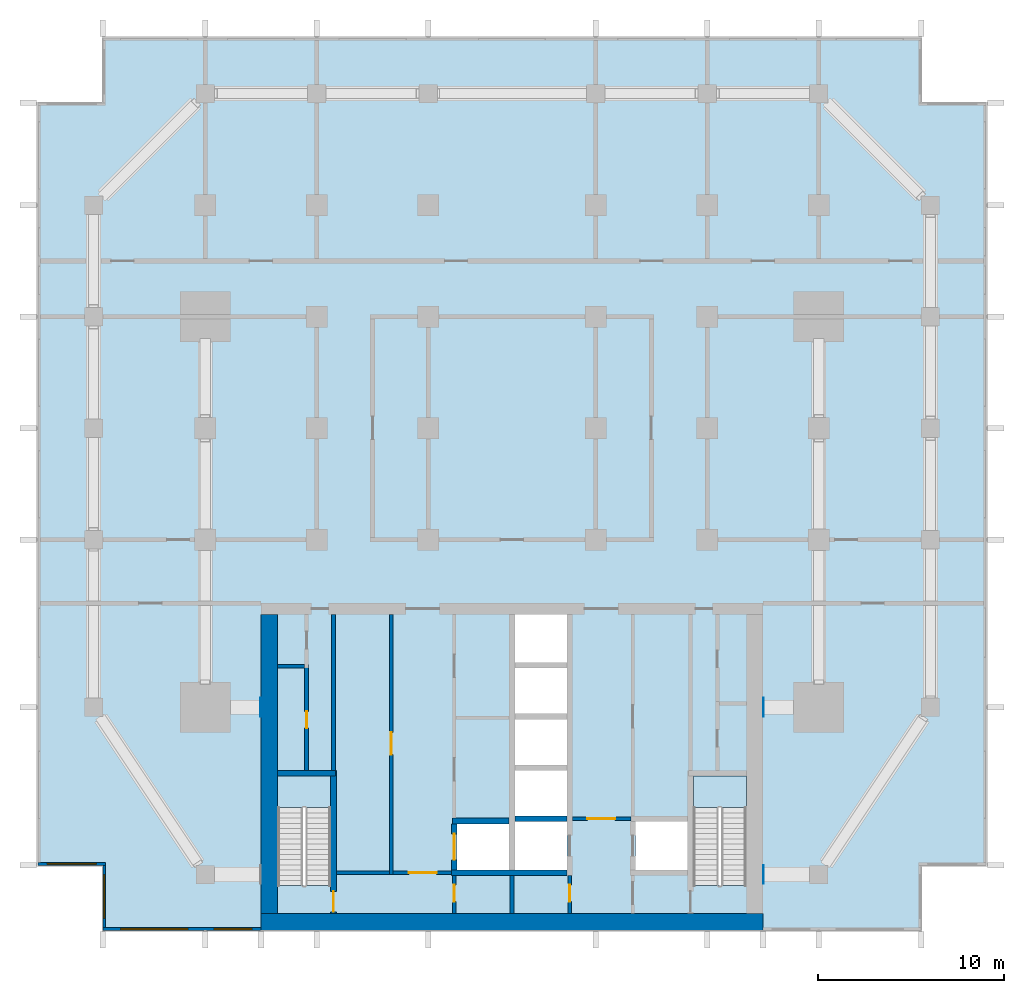
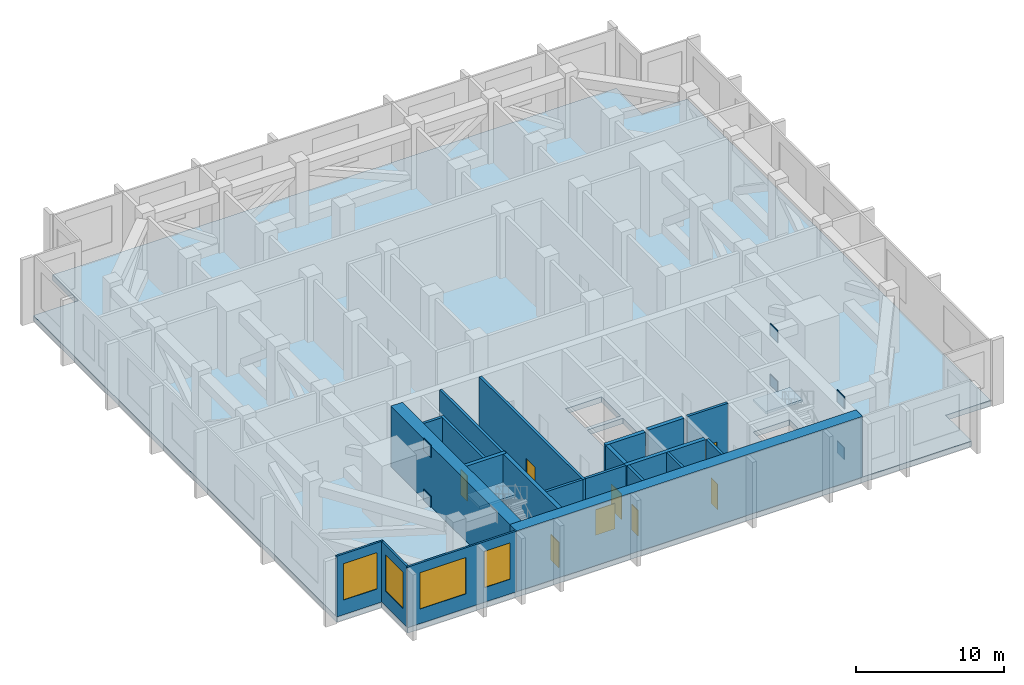
# One storey, part 2 of 12: 21 walls, 8 doors, 6 plates, 4 windows, 3 slabs, 12 openings, 2 elements without a shape of their own.
"""IFC4 building model written with IfcOpenShell, lengths in metres."""

import ifcopenshell
import ifcopenshell.guid

model = None  # the IFC model being written
_history = None  # IfcOwnerHistory: only IFC2X3 demands one
_inside = {}  # id of a spatial element -> (the spatial element, [elements in it])
_under = {}  # id of a project, library or spatial element -> (it, [spatial elements below it])
_declared = {}  # id of a project -> (the project, [libraries it declares])
_typed = {}  # id of a type object -> (the type object, [elements of that type])
_made_of = {}  # id of a material, layer set ... -> (it, [elements and type objects made of it])


def new_model(schema):
    """Start an empty IFC model of exactly this schema.

    Asked for "IFC4X3", IfcOpenShell would pick the latest addendum, in which some entities
    have other attributes; the version numbers below select the first issue.
    IFC2X3 requires an IfcOwnerHistory on every rooted entity: one is made here for all.
    """
    global model, _history
    if schema == "IFC4X3":
        model = ifcopenshell.file(schema_version=(4, 3, 0, 0))
    else:
        model = ifcopenshell.file(schema=schema)
    _inside.clear()
    _under.clear()
    _declared.clear()
    _typed.clear()
    _made_of.clear()
    _history = None
    if model.schema == "IFC2X3":
        org = make("IfcOrganization", Name="unknown")
        user = make(
            "IfcPersonAndOrganization",
            ThePerson=make("IfcPerson", FamilyName="unknown"),
            TheOrganization=org,
        )
        app = make(
            "IfcApplication",
            ApplicationDeveloper=org,
            Version="unknown",
            ApplicationFullName="unknown",
            ApplicationIdentifier="unknown",
        )
        _history = make(
            "IfcOwnerHistory",
            OwningUser=user,
            OwningApplication=app,
            ChangeAction="ADDED",
            CreationDate=0,
        )
    return model


def make(cls, **values):
    """One entity of the class cls with the attributes given. An attribute that is None is left unset."""
    return model.create_entity(
        cls, **{name: value for name, value in values.items() if value is not None}
    )


def rooted(cls, **values):
    """An entity with a GlobalId (a new one), such as an element, a storey or a relation."""
    return make(cls, GlobalId=ifcopenshell.guid.new(), OwnerHistory=_history, **values)


def si_unit(unit_type, name, prefix=None):
    """IfcSIUnit, for example si_unit("LENGTHUNIT", "METRE", prefix="MILLI")."""
    return make("IfcSIUnit", UnitType=unit_type, Prefix=prefix, Name=name)


def assignment(units):
    """IfcUnitAssignment: the units of a project."""
    return None if units is None else make("IfcUnitAssignment", Units=units)


def point(xyz):
    """IfcCartesianPoint."""
    return None if xyz is None else make("IfcCartesianPoint", Coordinates=xyz)


def direction(xyz):
    """IfcDirection."""
    return None if xyz is None else make("IfcDirection", DirectionRatios=xyz)


def frame(location, z_axis=None, x_axis=None):
    """IfcAxis2Placement3D, a coordinate frame: its origin and axes. An axis left out is left unset."""
    return make(
        "IfcAxis2Placement3D",
        Location=point(location),
        Axis=direction(z_axis),
        RefDirection=direction(x_axis),
    )


def frame_2d(location, x_axis=None):
    """IfcAxis2Placement2D, a coordinate frame in the plane: its origin and x axis."""
    return make(
        "IfcAxis2Placement2D", Location=point(location), RefDirection=direction(x_axis)
    )


def origin():
    """The frame at (0, 0, 0) with its axes left unset."""
    return frame((0.0, 0.0, 0.0))


def origin_2d():
    """The frame at (0, 0) in the plane with its x axis left unset."""
    return frame_2d((0.0, 0.0))


def place(relative_to, where):
    """IfcLocalPlacement: puts the frame where relative to a parent placement (None: the world)."""
    return make(
        "IfcLocalPlacement", PlacementRelTo=relative_to, RelativePlacement=where
    )


def context(
    kind, dimensions, precision=None, world=None, true_north=None, identifier=None
):
    """IfcGeometricRepresentationContext, for example the 3D "Model" context."""
    return make(
        "IfcGeometricRepresentationContext",
        ContextIdentifier=identifier,
        ContextType=kind,
        CoordinateSpaceDimension=dimensions,
        Precision=precision,
        WorldCoordinateSystem=world,
        TrueNorth=true_north,
    )


def subcontext(parent, identifier, kind, view, scale=None):
    """IfcGeometricRepresentationSubContext, for example "Body" below "Model"."""
    return make(
        "IfcGeometricRepresentationSubContext",
        ContextIdentifier=identifier,
        ContextType=kind,
        ParentContext=parent,
        TargetScale=scale,
        TargetView=view,
    )


def project(units=None, contexts=None):
    """IfcProject with its units and contexts."""
    return rooted(
        "IfcProject",
        Name="project",
        RepresentationContexts=contexts,
        UnitsInContext=assignment(units),
    )


def spatial(cls, under=None, at=None, **own):
    """A site, building, storey or space (cls), placed at a placement, below another one or the project."""
    s = rooted(cls, ObjectPlacement=at, **own)
    if under is not None:
        _under.setdefault(under.id(), (under, []))[1].append(s)
    return s


def polyline(points):
    """IfcPolyline through the points."""
    return make("IfcPolyline", Points=[point(p) for p in points])


def profile(cls, at=None, kind="AREA", **sizes):
    """A parametric profile (cls). Its sizes go by their IFC names, for example OverallWidth=200.0."""
    return make(cls, ProfileType=kind, Position=at, **sizes)


def rectangle(**sizes):
    """IfcRectangleProfileDef."""
    return profile("IfcRectangleProfileDef", **sizes)


def outline(outer, holes=None, kind="AREA"):
    """IfcArbitraryClosedProfileDef: a profile drawn as a closed curve; with holes, ...WithVoids."""
    if holes is None:
        return make("IfcArbitraryClosedProfileDef", ProfileType=kind, OuterCurve=outer)
    return make(
        "IfcArbitraryProfileDefWithVoids",
        ProfileType=kind,
        OuterCurve=outer,
        InnerCurves=holes,
    )


def extrude(swept, where, along, depth):
    """IfcExtrudedAreaSolid: the profile swept, set in the frame where, extruded along a direction by depth."""
    return make(
        "IfcExtrudedAreaSolid",
        SweptArea=swept,
        Position=where,
        ExtrudedDirection=direction(along),
        Depth=depth,
    )


def shape(context_of_items, identifier, shape_type, items):
    """IfcShapeRepresentation: the items that make up one representation, for example the "Body"."""
    return make(
        "IfcShapeRepresentation",
        ContextOfItems=context_of_items,
        RepresentationIdentifier=identifier,
        RepresentationType=shape_type,
        Items=items,
    )


def material(Name=None, Category=None):
    """IfcMaterial."""
    return make("IfcMaterial", Name=Name, Category=Category)


def layer(
    of_material, thickness, ventilated=None, Name=None, Category=None, Priority=None
):
    """IfcMaterialLayer: one layer of a wall or slab, of a material (None: an air gap)."""
    return make(
        "IfcMaterialLayer",
        Material=of_material,
        LayerThickness=thickness,
        IsVentilated=ventilated,
        Name=Name,
        Category=Category,
        Priority=Priority,
    )


def layer_set(layers, Name=None):
    """IfcMaterialLayerSet."""
    return make("IfcMaterialLayerSet", MaterialLayers=layers, LayerSetName=Name)


def made_of(thing, what):
    """Note that an element or type object is made of a material, layer set ...; save() writes the relation."""
    if what is not None:
        _made_of.setdefault(what.id(), (what, []))[1].append(thing)
    return thing


def type_object(cls, material=None, **own):
    """A type object (cls), such as IfcWallType, which elements share."""
    return made_of(rooted(cls, **own), material)


def element(
    cls,
    number,
    at=None,
    inside=None,
    cuts=None,
    type_object=None,
    material=None,
    context=None,
    identifier="Body",
    shape_type=None,
    held_by="IfcProductDefinitionShape",
    body=None,
    shapes=None,
    **own,
):
    """One element of the class cls, such as IfcWall. Its Tag is "e" and its number.

    at: its placement. inside: the storey or other place that contains it. cuts: it is an
    opening in that element (IfcRelVoidsElement). A single representation is given by context,
    identifier, shape_type and body (its items); several are given by shapes. held_by: the class
    of the entity that holds the representations. save() writes the other relations.
    """
    e = rooted(cls, Tag="e%d" % number, ObjectPlacement=at, **own)
    if body is not None:
        shapes = [shape(context, identifier, shape_type, body)]
    if shapes is not None:
        e.Representation = make(held_by, Representations=shapes)
    if inside is not None:
        _inside.setdefault(inside.id(), (inside, []))[1].append(e)
    if cuts is not None:
        rooted(
            "IfcRelVoidsElement", RelatingBuildingElement=cuts, RelatedOpeningElement=e
        )
    if type_object is not None:
        _typed.setdefault(type_object.id(), (type_object, []))[1].append(e)
    return made_of(e, material)


def fill(opening, filler):
    """IfcRelFillsElement: the door or window that sits in an opening."""
    return rooted(
        "IfcRelFillsElement",
        RelatingOpeningElement=opening,
        RelatedBuildingElement=filler,
    )


def aggregate(whole, parts):
    """IfcRelAggregates: a whole, such as a stair, and the parts it consists of."""
    return rooted("IfcRelAggregates", RelatingObject=whole, RelatedObjects=parts)


def save(model, path):
    """Write the relations noted so far, then the file.

    IfcRelAggregates (storeys below a building ...), IfcRelContainedInSpatialStructure (elements
    in a storey), IfcRelDefinesByType, IfcRelAssociatesMaterial and IfcRelDeclares: one each for
    every whole, place, type object, material and project.
    """
    for whole, parts in _under.values():
        aggregate(whole, parts)
    for where, things in _inside.values():
        rooted(
            "IfcRelContainedInSpatialStructure",
            RelatedElements=things,
            RelatingStructure=where,
        )
    for kind, things in _typed.values():
        rooted("IfcRelDefinesByType", RelatedObjects=things, RelatingType=kind)
    for what, things in _made_of.values():
        rooted("IfcRelAssociatesMaterial", RelatedObjects=things, RelatingMaterial=what)
    for by, libraries in _declared.values():
        rooted("IfcRelDeclares", RelatingContext=by, RelatedDefinitions=libraries)
    model.write(path)


model = new_model("IFC4")

# Units and contexts
model_context = context("Model", 3, precision=1e-05, world=origin(), true_north=direction((0.0, 1.0)))
body_context = subcontext(model_context, "Body", "Model", "MODEL_VIEW")
ifc_project = project(units=[si_unit("LENGTHUNIT", "METRE"), si_unit("AREAUNIT", "SQUARE_METRE"), si_unit("VOLUMEUNIT", "CUBIC_METRE"), si_unit("PLANEANGLEUNIT", "RADIAN"), si_unit("MASSUNIT", "GRAM", prefix="KILO")], contexts=[model_context])

# Site, building, storey
site_placement = place(None, origin())
site = spatial("IfcSite", under=ifc_project, at=site_placement, CompositionType="ELEMENT")
building_placement = place(site_placement, origin())
building = spatial("IfcBuilding", under=site, at=building_placement, Name="Finial Court Residences", CompositionType="ELEMENT")
storey_placement = place(building_placement, frame((0.0, 0.0, 143.89990234375)))
storey = spatial("IfcBuildingStorey", under=building, at=storey_placement, Name="L35", CompositionType="ELEMENT", Elevation=143.89990234375)

# Plates
ifc_material_1 = material(Name="Steel ASTM A572 Gr 50", Category="steel")
ifc_layer_1 = layer(ifc_material_1, 0.050048828125)
ifc_layer_set_1 = layer_set([ifc_layer_1], Name="Cast-in plate 50")
plate_type = type_object("IfcPlateType", Name="Cast-in plate 50", PredefinedType="USERDEFINED", material=ifc_layer_set_1)
for number, where, z_axis, x_axis, name in (
    (1, (13.52490234375, -22.5, -0.099853515625), (0.0, 0.0, 1.0), (1.0, 0.0, 0.0), "S:TR:L35:19:CP1B"),
    (2, (13.52490234375, -22.5, 4.09912109375), (0.0, 0.0, 1.0), (1.0, 0.0, 0.0), "S:TR:L35:19:CP1T"),
    (3, (-13.52490234375, -13.5, -0.099853515625), (0.0, 0.0, 1.0), (1.0, 0.0, 0.0), "S:TR:L35:20:CP0B"),
    (4, (-13.52490234375, -13.5, 4.09912109375), (0.0, 0.0, 1.0), (1.0, 0.0, 0.0), "S:TR:L35:20:CP0T"),
    (5, (13.52490234375, -13.5, -0.099853515625), (0.0, 0.0, 1.0), (1.0, 0.0, 0.0), "S:TR:L35:24:CP0B"),
    (6, (13.52490234375, -13.5, 4.09912109375), (0.0, 0.0, 1.0), (1.0, 0.0, 0.0), "S:TR:L35:24:CP0T"),
):
    element("IfcPlate", number, at=place(storey_placement, frame(where, z_axis=z_axis, x_axis=x_axis)), inside=storey, type_object=plate_type, Name=name, ObjectType="Cast-in plate", PredefinedType="USERDEFINED", context=body_context, shape_type="SweptSolid", body=[
        extrude(rectangle(XDim=0.050048828125, YDim=1.0, at=origin_2d()), origin(), (0.0, 0.0, 1.0), 1.0),
    ])

# Stair, slab
ifc_material_2 = material(Name="Concrete C50/60", Category="concrete")
stair_type = type_object("IfcStairType", Name="Exit stair 32 risers of 168.8 mm", PredefinedType="HALF_TURN_STAIR", material=ifc_material_2)
stair_1_placement = place(storey_placement, origin())
stair_1 = element("IfcStair", 7, at=stair_1_placement, inside=storey, type_object=stair_type, Name="L35 Exit stair ST-1", PredefinedType="HALF_TURN_STAIR")
ifc_layer_2 = layer(ifc_material_2, 0.199951171875)
ifc_layer_set_2 = layer_set([ifc_layer_2], Name="Exit stair landing")
slab_type_1 = type_object("IfcSlabType", Name="Exit stair landing", PredefinedType="LANDING", material=ifc_layer_set_2)
slab_1_placement = place(storey_placement, frame((0.0, 0.0, 2.5)))
slab_1 = element("IfcSlab", 8, at=slab_1_placement, type_object=slab_type_1, Name="ST-1 landing 1", PredefinedType="LANDING", context=body_context, shape_type="SweptSolid", body=[
    extrude(outline(polyline([(-9.75, -18.89990234375), (-9.75, -17.199951171875), (-12.60009765625, -17.199951171875), (-12.60009765625, -18.89990234375), (-9.75, -18.89990234375)])), origin(), (0.0, 0.0, 1.0), 0.2001953125),
])
aggregate(stair_1, [slab_1])

stair_2_placement = place(storey_placement, origin())
stair_2 = element("IfcStair", 9, at=stair_2_placement, inside=storey, type_object=stair_type, Name="L35 Exit stair ST-2", PredefinedType="HALF_TURN_STAIR")
slab_2_placement = place(storey_placement, frame((0.0, 0.0, 2.5)))
slab_2 = element("IfcSlab", 10, at=slab_2_placement, type_object=slab_type_1, Name="ST-2 landing 1", PredefinedType="LANDING", context=body_context, shape_type="SweptSolid", body=[
    extrude(outline(polyline([(12.60009765625, -18.89990234375), (12.60009765625, -17.199951171875), (9.75, -17.199951171875), (9.75, -18.89990234375), (12.60009765625, -18.89990234375)])), origin(), (0.0, 0.0, 1.0), 0.2001953125),
])
aggregate(stair_2, [slab_2])

# Slab
ifc_material_3 = material(Name="Concrete C40/50", Category="concrete")
ifc_layer_3 = layer(ifc_material_3, 0.449951171875)
ifc_layer_set_3 = layer_set([ifc_layer_3], Name="Flat plate slab 450 Concrete C40/50")
slab_type_2 = type_object("IfcSlabType", Name="Flat plate slab 450 Concrete C40/50", PredefinedType="FLOOR", material=ifc_layer_set_3)
slab_3_placement = place(storey_placement, frame((0.0, 0.0, -0.449951171875)))
element("IfcSlab", 11, at=slab_3_placement, inside=storey, type_object=slab_type_2, Name="S:SLAB:L35", PredefinedType="FLOOR", context=body_context, shape_type="SweptSolid", body=[
    extrude(outline(polyline([(22.0, -25.5), (-22.0, -25.5), (-22.0, -22.0), (-25.5, -22.0), (-25.5, 19.0), (-22.0, 19.0), (-22.0, 22.5), (22.0, 22.5), (22.0, 19.0), (25.5, 19.0), (25.5, -22.0), (22.0, -22.0), (22.0, -25.5)]), holes=[polyline([(-0.14990234375, -19.77001953125), (-2.949951171875, -19.77001953125), (-2.949951171875, -22.25), (-0.14990234375, -22.25), (-0.14990234375, -19.77001953125)]), polyline([(2.949951171875, -19.64990234375), (0.14990234375, -19.64990234375), (0.14990234375, -22.25), (2.949951171875, -22.25), (2.949951171875, -19.64990234375)]), polyline([(9.449951171875, -19.64990234375), (6.64990234375, -19.64990234375), (6.64990234375, -22.25), (9.449951171875, -22.25), (9.449951171875, -19.64990234375)]), polyline([(-12.60009765625, -17.199951171875), (-12.60009765625, -23.09912109375), (-9.75, -23.09912109375), (-9.75, -17.199951171875), (-12.60009765625, -17.199951171875)]), polyline([(9.75, -17.199951171875), (9.75, -23.09912109375), (12.60009765625, -23.09912109375), (12.60009765625, -17.199951171875), (9.75, -17.199951171875)]), polyline([(2.949951171875, -16.89990234375), (0.14990234375, -16.89990234375), (0.14990234375, -19.35009765625), (2.949951171875, -19.35009765625), (2.949951171875, -16.89990234375)]), polyline([(2.949951171875, -14.14990234375), (0.14990234375, -14.14990234375), (0.14990234375, -16.60009765625), (2.949951171875, -16.60009765625), (2.949951171875, -14.14990234375)]), polyline([(2.949951171875, -13.85009765625), (2.949951171875, -11.39990234375), (0.14990234375, -11.39990234375), (0.14990234375, -13.85009765625), (2.949951171875, -13.85009765625)]), polyline([(2.949951171875, -11.10009765625), (2.949951171875, -8.5), (0.14990234375, -8.5), (0.14990234375, -11.10009765625), (2.949951171875, -11.10009765625)])]), origin(), (0.0, 0.0, 1.0), 0.449951171875),
])

# Walls
ifc_material_4 = material(Name="Concrete C70/85", Category="concrete")
ifc_layer_4 = layer(ifc_material_4, 0.89990234375)
ifc_layer_set_4 = layer_set([ifc_layer_4], Name="Core outer wall 900 Concrete C70/85")
wall_type_1 = type_object("IfcWallType", Name="Core outer wall 900 Concrete C70/85", PredefinedType="SHEAR", material=ifc_layer_set_4)
wall_1_placement = place(storey_placement, frame((-13.050048828125, -24.60009765625, 0.0), z_axis=(0.0, 0.0, 1.0), x_axis=(0.0, 1.0, 0.0)))
element("IfcWall", 12, at=wall_1_placement, inside=storey, type_object=wall_type_1, Name="Core outer wall L35-03", PredefinedType="SHEAR", context=body_context, shape_type="SweptSolid", body=[
    extrude(rectangle(XDim=16.10009765625, YDim=0.89990234375, at=frame_2d((8.050048828125, 0.0))), origin(), (0.0, 0.0, 1.0), 5.0),
])
ifc_layer_5 = layer(ifc_material_4, 0.89990234375)
ifc_layer_set_5 = layer_set([ifc_layer_5], Name="Core south facade wall 900 Concrete C70/85")
wall_type_2 = type_object("IfcWallType", Name="Core south facade wall 900 Concrete C70/85", PredefinedType="SHEAR", material=ifc_layer_set_5)
wall_2_placement = place(storey_placement, frame((-13.5, -25.050048828125, 0.0), z_axis=(0.0, 0.0, 1.0), x_axis=(1.0, 0.0, 0.0)))
element("IfcWall", 13, at=wall_2_placement, inside=storey, type_object=wall_type_2, Name="Core outer wall L35-01", PredefinedType="SHEAR", context=body_context, shape_type="SweptSolid", body=[
    extrude(rectangle(XDim=27.0, YDim=0.89990234375, at=frame_2d((13.5, 0.0))), origin(), (0.0, 0.0, 1.0), 5.0),
])

# Wall, opening, door
ifc_material_5 = material(Name="Fire-rated gypsum board partition")
ifc_layer_6 = layer(ifc_material_5, 0.199951171875)
ifc_layer_set_6 = layer_set([ifc_layer_6], Name="Firefighting lobby wall 200 EI 120")
wall_type_3 = type_object("IfcWallType", Name="Firefighting lobby wall 200 EI 120", PredefinedType="PARTITIONING", material=ifc_layer_set_6)
wall_3_placement = place(storey_placement, frame((6.39990234375, -19.5, 0.0), z_axis=(0.0, 0.0, 1.0), x_axis=(-1.0, 0.0, 0.0)))
wall_3 = element("IfcWall", 14, at=wall_3_placement, inside=storey, type_object=wall_type_3, Name="Core partition L35-07", PredefinedType="PARTITIONING", context=body_context, shape_type="SweptSolid", body=[
    extrude(rectangle(XDim=3.14990234375, YDim=0.199951171875, at=frame_2d((1.574951171875, 0.0))), origin(), (0.0, 0.0, 1.0), 5.0),
])
opening_1_placement = place(wall_3_placement, frame((0.85009765625, 0.0, 0.0)))
opening_1 = element("IfcOpeningElement", 15, at=opening_1_placement, cuts=wall_3, Name="Opening L35-C02", PredefinedType="OPENING", context=body_context, shape_type="SweptSolid", body=[
    extrude(rectangle(XDim=1.5, YDim=2.10009765625, at=frame_2d((0.75, 1.050048828125))), frame((0.0, 0.10986328125, 0.0), z_axis=(0.0, -1.0, 0.0), x_axis=(1.0, 0.0, 0.0)), (0.0, 0.0, 1.0), 0.219970703125),
])
ifc_material_6 = material(Name="Steel fire door", Category="steel")
door_type_1 = type_object("IfcDoorType", Name="Firefighting lobby door 1500 x 2100 EI 90", OperationType="DOUBLE_DOOR_SINGLE_SWING", PredefinedType="DOOR", material=ifc_material_6)
door_1_placement = place(opening_1_placement, origin())
door_1 = element("IfcDoor", 16, at=door_1_placement, inside=storey, type_object=door_type_1, Name="Firefighting lobby door L35-C02", OperationType="DOUBLE_DOOR_SINGLE_SWING", OverallHeight=2.10009765625, OverallWidth=1.5, PredefinedType="DOOR", context=body_context, shape_type="SweptSolid", body=[
    extrude(rectangle(XDim=1.5, YDim=2.10009765625, at=frame_2d((0.75, 1.050048828125))), frame((0.0, 0.02490234375, 0.0), z_axis=(0.0, -1.0, 0.0), x_axis=(1.0, 0.0, 0.0)), (0.0, 0.0, 1.0), 0.050048828125),
])
fill(opening_1, door_1)

wall_4_placement = place(storey_placement, frame((3.10009765625, -24.60009765625, 0.0), z_axis=(0.0, 0.0, 1.0), x_axis=(0.0, 1.0, 0.0)))
wall_4 = element("IfcWall", 17, at=wall_4_placement, inside=storey, type_object=wall_type_3, Name="Core partition L35-27", PredefinedType="PARTITIONING", context=body_context, shape_type="SweptSolid", body=[
    extrude(rectangle(XDim=2.050048828125, YDim=0.199951171875, at=frame_2d((1.02490234375, 0.0))), origin(), (0.0, 0.0, 1.0), 5.0),
])
opening_2_placement = place(wall_4_placement, frame((0.64990234375, 0.0, 0.0)))
opening_2 = element("IfcOpeningElement", 18, at=opening_2_placement, cuts=wall_4, Name="Opening L35-C14", PredefinedType="OPENING", context=body_context, shape_type="SweptSolid", body=[
    extrude(rectangle(XDim=0.89990234375, YDim=2.10009765625, at=frame_2d((0.449951171875, 1.050048828125))), frame((0.0, 0.10986328125, 0.0), z_axis=(0.0, -1.0, 0.0), x_axis=(1.0, 0.0, 0.0)), (0.0, 0.0, 1.0), 0.219970703125),
])
door_type_2 = type_object("IfcDoorType", Name="Riser room door 900 x 2100 EI 90", OperationType="NOTDEFINED", PredefinedType="DOOR", material=ifc_material_6)
door_2_placement = place(opening_2_placement, origin())
door_2 = element("IfcDoor", 19, at=door_2_placement, inside=storey, type_object=door_type_2, Name="Riser room door L35-C14", OperationType="SINGLE_SWING_LEFT", OverallHeight=2.10009765625, OverallWidth=0.89990234375, PredefinedType="DOOR", context=body_context, shape_type="SweptSolid", body=[
    extrude(rectangle(XDim=0.89990234375, YDim=2.10009765625, at=frame_2d((0.449951171875, 1.050048828125))), frame((0.0, 0.02490234375, 0.0), z_axis=(0.0, -1.0, 0.0), x_axis=(1.0, 0.0, 0.0)), (0.0, 0.0, 1.0), 0.050048828125),
])
fill(opening_2, door_2)

# Walls
ifc_layer_7 = layer(ifc_material_4, 0.300048828125)
ifc_layer_set_7 = layer_set([ifc_layer_7], Name="Lift shaft and stair wall 300 Concrete C70/85")
wall_type_4 = type_object("IfcWallType", Name="Lift shaft and stair wall 300 Concrete C70/85", PredefinedType="SHEAR", material=ifc_layer_set_7)
wall_5_placement = place(storey_placement, frame((-3.25, -22.39990234375, 0.0), z_axis=(0.0, 0.0, 1.0), x_axis=(1.0, 0.0, 0.0)))
element("IfcWall", 20, at=wall_5_placement, inside=storey, type_object=wall_type_4, Name="Core wall L35-03", PredefinedType="SHEAR", context=body_context, shape_type="SweptSolid", body=[
    extrude(rectangle(XDim=6.199951171875, YDim=0.300048828125, at=frame_2d((3.10009765625, 0.0))), origin(), (0.0, 0.0, 1.0), 5.0),
])
wall_6_placement = place(storey_placement, frame((-3.199951171875, -19.6201171875, 0.0), z_axis=(0.0, 0.0, 1.0), x_axis=(1.0, 0.0, 0.0)))
element("IfcWall", 21, at=wall_6_placement, inside=storey, type_object=wall_type_4, Name="Core wall L35-05", PredefinedType="SHEAR", context=body_context, shape_type="SweptSolid", body=[
    extrude(rectangle(XDim=3.050048828125, YDim=0.300048828125, at=frame_2d((1.52490234375, 0.0))), origin(), (0.0, 0.0, 1.0), 5.0),
])
wall_7_placement = place(storey_placement, frame((0.14990234375, -19.5, 0.0), z_axis=(0.0, 0.0, 1.0), x_axis=(1.0, 0.0, 0.0)))
element("IfcWall", 22, at=wall_7_placement, inside=storey, type_object=wall_type_4, Name="Core wall L35-06", PredefinedType="SHEAR", context=body_context, shape_type="SweptSolid", body=[
    extrude(rectangle(XDim=2.800048828125, YDim=0.300048828125, at=frame_2d((1.39990234375, 0.0))), origin(), (0.0, 0.0, 1.0), 5.0),
])
wall_8_placement = place(storey_placement, frame((-12.60009765625, -17.050048828125, 0.0), z_axis=(0.0, 0.0, 1.0), x_axis=(1.0, 0.0, 0.0)))
element("IfcWall", 23, at=wall_8_placement, inside=storey, type_object=wall_type_4, Name="Core wall L35-09", PredefinedType="SHEAR", context=body_context, shape_type="SweptSolid", body=[
    extrude(rectangle(XDim=3.10009765625, YDim=0.300048828125, at=frame_2d((1.550048828125, 0.0))), origin(), (0.0, 0.0, 1.0), 5.0),
])

# Wall, opening, door
wall_9_placement = place(storey_placement, frame((-9.60009765625, -24.60009765625, 0.0), z_axis=(0.0, 0.0, 1.0), x_axis=(0.0, 1.0, 0.0)))
wall_9 = element("IfcWall", 24, at=wall_9_placement, inside=storey, type_object=wall_type_4, Name="Core wall L35-19", PredefinedType="SHEAR", context=body_context, shape_type="SweptSolid", body=[
    extrude(rectangle(XDim=7.7001953125, YDim=0.300048828125, at=frame_2d((3.85009765625, 0.0))), origin(), (0.0, 0.0, 1.0), 5.0),
])
opening_3_placement = place(wall_9_placement, frame((0.10009765625, 0.0, 0.0)))
opening_3 = element("IfcOpeningElement", 25, at=opening_3_placement, cuts=wall_9, Name="Opening L35-C18", PredefinedType="OPENING", context=body_context, shape_type="SweptSolid", body=[
    extrude(rectangle(XDim=1.10009765625, YDim=2.10009765625, at=frame_2d((0.550048828125, 1.050048828125))), frame((0.0, 0.159912109375, 0.0), z_axis=(0.0, -1.0, 0.0), x_axis=(1.0, 0.0, 0.0)), (0.0, 0.0, 1.0), 0.320068359375),
])
door_type_3 = type_object("IfcDoorType", Name="Stair door 1100 x 2100 EI 90", OperationType="NOTDEFINED", PredefinedType="DOOR", material=ifc_material_6)
door_3_placement = place(opening_3_placement, origin())
door_3 = element("IfcDoor", 26, at=door_3_placement, inside=storey, type_object=door_type_3, Name="Stair door L35-C18", OperationType="SINGLE_SWING_LEFT", OverallHeight=2.10009765625, OverallWidth=1.10009765625, PredefinedType="DOOR", context=body_context, shape_type="SweptSolid", body=[
    extrude(rectangle(XDim=1.10009765625, YDim=2.10009765625, at=frame_2d((0.550048828125, 1.050048828125))), frame((0.0, 0.02490234375, 0.0), z_axis=(0.0, -1.0, 0.0), x_axis=(1.0, 0.0, 0.0)), (0.0, 0.0, 1.0), 0.050048828125),
])
fill(opening_3, door_3)

wall_10_placement = place(storey_placement, frame((-3.10009765625, -22.25, 0.0), z_axis=(0.0, 0.0, 1.0), x_axis=(0.0, 1.0, 0.0)))
wall_10 = element("IfcWall", 27, at=wall_10_placement, inside=storey, type_object=wall_type_4, Name="Core wall L35-23", PredefinedType="SHEAR", context=body_context, shape_type="SweptSolid", body=[
    extrude(rectangle(XDim=2.47998046875, YDim=0.300048828125, at=frame_2d((1.239990234375, 0.0))), origin(), (0.0, 0.0, 1.0), 5.0),
])
opening_4_placement = place(wall_10_placement, frame((0.5400390625, 0.0, 0.0)))
opening_4 = element("IfcOpeningElement", 28, at=opening_4_placement, cuts=wall_10, Name="Opening L35-LD03", PredefinedType="OPENING", context=body_context, shape_type="SweptSolid", body=[
    extrude(rectangle(XDim=1.39990234375, YDim=2.10009765625, at=frame_2d((0.699951171875, 1.050048828125))), frame((0.0, 0.159912109375, 0.0), z_axis=(0.0, -1.0, 0.0), x_axis=(1.0, 0.0, 0.0)), (0.0, 0.0, 1.0), 0.320068359375),
])
ifc_material_7 = material(Name="Stainless steel lift door", Category="steel")
door_type_4 = type_object("IfcDoorType", Name="Lift landing door 1400 x 2100 EI 90", OperationType="DOUBLE_DOOR_SLIDING", PredefinedType="DOOR", material=ifc_material_7)
door_4_placement = place(opening_4_placement, origin())
door_4 = element("IfcDoor", 29, at=door_4_placement, inside=storey, type_object=door_type_4, Name="Lift landing door SV1 L35", OperationType="DOUBLE_DOOR_SLIDING", OverallHeight=2.10009765625, OverallWidth=1.39990234375, PredefinedType="DOOR", context=body_context, shape_type="SweptSolid", body=[
    extrude(rectangle(XDim=1.39990234375, YDim=2.10009765625, at=frame_2d((0.699951171875, 1.050048828125))), frame((0.0, 0.02490234375, 0.0), z_axis=(0.0, -1.0, 0.0), x_axis=(1.0, 0.0, 0.0)), (0.0, 0.0, 1.0), 0.050048828125),
])
fill(opening_4, door_4)

# Wall, openings, windows
ifc_material_8 = material(Name="Natural limestone", Category="masonry")
ifc_layer_8 = layer(ifc_material_8, 0.14990234375)
ifc_layer_set_8 = layer_set([ifc_layer_8], Name="Plant storey wall, limestone clad 150")
wall_type_5 = type_object("IfcWallType", Name="Plant storey wall, limestone clad 150", PredefinedType="SOLIDWALL", material=ifc_layer_set_8)
wall_11_placement = place(storey_placement, frame((-13.5, -25.425048828125, 0.0), z_axis=(0.0, 0.0, 1.0), x_axis=(-1.0, 0.0, 0.0)))
wall_11 = element("IfcWall", 30, at=wall_11_placement, inside=storey, type_object=wall_type_5, Name="E-L35-PWS3", PredefinedType="SOLIDWALL", context=body_context, shape_type="SweptSolid", body=[
    extrude(rectangle(XDim=8.5, YDim=0.14990234375, at=frame_2d((4.25, 0.0))), origin(), (0.0, 0.0, 1.0), 5.0),
])
opening_5_placement = place(wall_11_placement, frame((3.949951171875, 0.0, 1.199951171875)))
opening_5 = element("IfcOpeningElement", 31, at=opening_5_placement, cuts=wall_11, Name="Opening WE35-15", PredefinedType="OPENING", context=body_context, shape_type="SweptSolid", body=[
    extrude(rectangle(XDim=3.60009765625, YDim=3.0, at=frame_2d((1.800048828125, 1.5))), frame((0.0, 0.0849609375, 0.0), z_axis=(0.0, -1.0, 0.0), x_axis=(1.0, 0.0, 0.0)), (0.0, 0.0, 1.0), 0.169921875),
])
opening_6_placement = place(wall_11_placement, frame((0.5, 0.0, 1.199951171875)))
opening_6 = element("IfcOpeningElement", 32, at=opening_6_placement, cuts=wall_11, Name="Opening WE35-16", PredefinedType="OPENING", context=body_context, shape_type="SweptSolid", body=[
    extrude(rectangle(XDim=2.0, YDim=3.0, at=frame_2d((1.0, 1.5))), frame((0.0, 0.0849609375, 0.0), z_axis=(0.0, -1.0, 0.0), x_axis=(1.0, 0.0, 0.0)), (0.0, 0.0, 1.0), 0.169921875),
])
ifc_material_9 = material(Name="Bronze anodised aluminium", Category="aluminium")
window_type_1 = type_object("IfcWindowType", Name="Plant louvre 2000 x 3000", PartitioningType="SINGLE_PANEL", PredefinedType="WINDOW", material=ifc_material_9)
window_1_placement = place(opening_6_placement, origin())
window_1 = element("IfcWindow", 33, at=window_1_placement, inside=storey, type_object=window_type_1, Name="E-L35-PWS3-W2", OverallHeight=3.0, OverallWidth=2.0, PartitioningType="SINGLE_PANEL", PredefinedType="WINDOW", context=body_context, shape_type="SweptSolid", body=[
    extrude(rectangle(XDim=2.0, YDim=3.0, at=frame_2d((1.0, 1.5))), frame((0.0, 0.030029296875, 0.0), z_axis=(0.0, -1.0, 0.0), x_axis=(1.0, 0.0, 0.0)), (0.0, 0.0, 1.0), 0.06005859375),
])
fill(opening_6, window_1)
window_type_2 = type_object("IfcWindowType", Name="Plant louvre 3600 x 3000", PartitioningType="SINGLE_PANEL", PredefinedType="WINDOW", material=ifc_material_9)
window_2_placement = place(opening_5_placement, origin())
window_2 = element("IfcWindow", 34, at=window_2_placement, inside=storey, type_object=window_type_2, Name="E-L35-PWS3-W1", OverallHeight=3.0, OverallWidth=3.60009765625, PartitioningType="SINGLE_PANEL", PredefinedType="WINDOW", context=body_context, shape_type="SweptSolid", body=[
    extrude(rectangle(XDim=3.60009765625, YDim=3.0, at=frame_2d((1.800048828125, 1.5))), frame((0.0, 0.030029296875, 0.0), z_axis=(0.0, -1.0, 0.0), x_axis=(1.0, 0.0, 0.0)), (0.0, 0.0, 1.0), 0.06005859375),
])
fill(opening_5, window_2)

# Wall, opening, window
wall_12_placement = place(storey_placement, frame((-21.925048828125, -25.35009765625, 0.0), z_axis=(0.0, 0.0, 1.0), x_axis=(0.0, 1.0, 0.0)))
wall_12 = element("IfcWall", 35, at=wall_12_placement, inside=storey, type_object=wall_type_5, Name="E-L35-PWW6", PredefinedType="SOLIDWALL", context=body_context, shape_type="SweptSolid", body=[
    extrude(rectangle(XDim=3.35009765625, YDim=0.14990234375, at=frame_2d((1.675048828125, 0.0))), origin(), (0.0, 0.0, 1.0), 5.0),
])
opening_7_placement = place(wall_12_placement, frame((0.5, 0.0, 1.199951171875)))
opening_7 = element("IfcOpeningElement", 36, at=opening_7_placement, cuts=wall_12, Name="Opening WE35-26", PredefinedType="OPENING", context=body_context, shape_type="SweptSolid", body=[
    extrude(rectangle(XDim=2.35009765625, YDim=3.0, at=frame_2d((1.175048828125, 1.5))), frame((0.0, 0.0849609375, 0.0), z_axis=(0.0, -1.0, 0.0), x_axis=(1.0, 0.0, 0.0)), (0.0, 0.0, 1.0), 0.169921875),
])
window_type_3 = type_object("IfcWindowType", Name="Plant louvre 2350 x 3000", PartitioningType="SINGLE_PANEL", PredefinedType="WINDOW", material=ifc_material_9)
window_3_placement = place(opening_7_placement, origin())
window_3 = element("IfcWindow", 37, at=window_3_placement, inside=storey, type_object=window_type_3, Name="E-L35-PWW6-W1", OverallHeight=3.0, OverallWidth=2.35009765625, PartitioningType="SINGLE_PANEL", PredefinedType="WINDOW", context=body_context, shape_type="SweptSolid", body=[
    extrude(rectangle(XDim=2.35009765625, YDim=3.0, at=frame_2d((1.175048828125, 1.5))), frame((0.0, 0.030029296875, 0.0), z_axis=(0.0, -1.0, 0.0), x_axis=(1.0, 0.0, 0.0)), (0.0, 0.0, 1.0), 0.06005859375),
])
fill(opening_7, window_3)

wall_13_placement = place(storey_placement, frame((-21.85009765625, -21.925048828125, 0.0), z_axis=(0.0, 0.0, 1.0), x_axis=(-1.0, 0.0, 0.0)))
wall_13 = element("IfcWall", 38, at=wall_13_placement, inside=storey, type_object=wall_type_5, Name="E-L35-PWS7", PredefinedType="SOLIDWALL", context=body_context, shape_type="SweptSolid", body=[
    extrude(rectangle(XDim=3.64990234375, YDim=0.14990234375, at=frame_2d((1.824951171875, 0.0))), origin(), (0.0, 0.0, 1.0), 5.0),
])
opening_8_placement = place(wall_13_placement, frame((0.5, 0.0, 1.199951171875)))
opening_8 = element("IfcOpeningElement", 39, at=opening_8_placement, cuts=wall_13, Name="Opening WE35-27", PredefinedType="OPENING", context=body_context, shape_type="SweptSolid", body=[
    extrude(rectangle(XDim=2.64990234375, YDim=3.0, at=frame_2d((1.324951171875, 1.5))), frame((0.0, 0.0849609375, 0.0), z_axis=(0.0, -1.0, 0.0), x_axis=(1.0, 0.0, 0.0)), (0.0, 0.0, 1.0), 0.169921875),
])
window_type_4 = type_object("IfcWindowType", Name="Plant louvre 2650 x 3000", PartitioningType="SINGLE_PANEL", PredefinedType="WINDOW", material=ifc_material_9)
window_4_placement = place(opening_8_placement, origin())
window_4 = element("IfcWindow", 40, at=window_4_placement, inside=storey, type_object=window_type_4, Name="E-L35-PWS7-W1", OverallHeight=3.0, OverallWidth=2.64990234375, PartitioningType="SINGLE_PANEL", PredefinedType="WINDOW", context=body_context, shape_type="SweptSolid", body=[
    extrude(rectangle(XDim=2.64990234375, YDim=3.0, at=frame_2d((1.324951171875, 1.5))), frame((0.0, 0.030029296875, 0.0), z_axis=(0.0, -1.0, 0.0), x_axis=(1.0, 0.0, 0.0)), (0.0, 0.0, 1.0), 0.06005859375),
])
fill(opening_8, window_4)

# Walls
ifc_layer_9 = layer(ifc_material_5, 0.199951171875)
ifc_layer_set_9 = layer_set([ifc_layer_9], Name="Riser room wall 200 EI 120")
wall_type_6 = type_object("IfcWallType", Name="Riser room wall 200 EI 120", PredefinedType="PARTITIONING", material=ifc_layer_set_9)
wall_14_placement = place(storey_placement, frame((-9.449951171875, -22.39990234375, 0.0), z_axis=(0.0, 0.0, 1.0), x_axis=(1.0, 0.0, 0.0)))
element("IfcWall", 41, at=wall_14_placement, inside=storey, type_object=wall_type_6, Name="Core partition L35-01", PredefinedType="PARTITIONING", context=body_context, shape_type="SweptSolid", body=[
    extrude(rectangle(XDim=2.849853515625, YDim=0.199951171875, at=frame_2d((1.4248046875, 0.0))), origin(), (0.0, 0.0, 1.0), 5.0),
])
wall_15_placement = place(storey_placement, frame((-12.60009765625, -11.300048828125, 0.0), z_axis=(0.0, 0.0, 1.0), x_axis=(1.0, 0.0, 0.0)))
element("IfcWall", 42, at=wall_15_placement, inside=storey, type_object=wall_type_6, Name="Core partition L35-15", PredefinedType="PARTITIONING", context=body_context, shape_type="SweptSolid", body=[
    extrude(rectangle(XDim=1.4501953125, YDim=0.199951171875, at=frame_2d((0.72509765625, 0.0))), origin(), (0.0, 0.0, 1.0), 5.0),
])
wall_16_placement = place(storey_placement, frame((-9.60009765625, -16.89990234375, 0.0), z_axis=(0.0, 0.0, 1.0), x_axis=(0.0, 1.0, 0.0)))
element("IfcWall", 43, at=wall_16_placement, inside=storey, type_object=wall_type_6, Name="Core partition L35-20", PredefinedType="PARTITIONING", context=body_context, shape_type="SweptSolid", body=[
    extrude(rectangle(XDim=8.39990234375, YDim=0.199951171875, at=frame_2d((4.199951171875, 0.0))), origin(), (0.0, 0.0, 1.0), 5.0),
])

# Wall, opening, door
wall_17_placement = place(storey_placement, frame((-6.5, -22.5, 0.0), z_axis=(0.0, 0.0, 1.0), x_axis=(0.0, 1.0, 0.0)))
wall_17 = element("IfcWall", 44, at=wall_17_placement, inside=storey, type_object=wall_type_6, Name="Core partition L35-21", PredefinedType="PARTITIONING", context=body_context, shape_type="SweptSolid", body=[
    extrude(rectangle(XDim=14.0, YDim=0.199951171875, at=frame_2d((7.0, 0.0))), origin(), (0.0, 0.0, 1.0), 5.0),
])
opening_9_placement = place(wall_17_placement, frame((6.449951171875, 0.0, 0.0)))
opening_9 = element("IfcOpeningElement", 45, at=opening_9_placement, cuts=wall_17, Name="Opening L35-C08", PredefinedType="OPENING", context=body_context, shape_type="SweptSolid", body=[
    extrude(rectangle(XDim=1.199951171875, YDim=2.10009765625, at=frame_2d((0.60009765625, 1.050048828125))), frame((0.0, 0.10986328125, 0.0), z_axis=(0.0, -1.0, 0.0), x_axis=(1.0, 0.0, 0.0)), (0.0, 0.0, 1.0), 0.219970703125),
])
door_type_5 = type_object("IfcDoorType", Name="Riser room door 1200 x 2100 EI 90", OperationType="NOTDEFINED", PredefinedType="DOOR", material=ifc_material_6)
door_5_placement = place(opening_9_placement, origin())
door_5 = element("IfcDoor", 46, at=door_5_placement, inside=storey, type_object=door_type_5, Name="Riser room door L35-C08", OperationType="SINGLE_SWING_LEFT", OverallHeight=2.10009765625, OverallWidth=1.199951171875, PredefinedType="DOOR", context=body_context, shape_type="SweptSolid", body=[
    extrude(rectangle(XDim=1.199951171875, YDim=2.10009765625, at=frame_2d((0.60009765625, 1.050048828125))), frame((0.0, 0.02490234375, 0.0), z_axis=(0.0, -1.0, 0.0), x_axis=(1.0, 0.0, 0.0)), (0.0, 0.0, 1.0), 0.050048828125),
])
fill(opening_9, door_5)

# Wall
wall_18_placement = place(storey_placement, frame((0.0, -24.60009765625, 0.0), z_axis=(0.0, 0.0, 1.0), x_axis=(0.0, 1.0, 0.0)))
element("IfcWall", 47, at=wall_18_placement, inside=storey, type_object=wall_type_6, Name="Core partition L35-25", PredefinedType="PARTITIONING", context=body_context, shape_type="SweptSolid", body=[
    extrude(rectangle(XDim=2.050048828125, YDim=0.199951171875, at=frame_2d((1.02490234375, 0.0))), origin(), (0.0, 0.0, 1.0), 5.0),
])

# Wall, opening, door
ifc_layer_10 = layer(ifc_material_5, 0.199951171875)
ifc_layer_set_10 = layer_set([ifc_layer_10], Name="Stair passage wall 200 EI 180")
wall_type_7 = type_object("IfcWallType", Name="Stair passage wall 200 EI 180", PredefinedType="PARTITIONING", material=ifc_layer_set_10)
wall_19_placement = place(storey_placement, frame((-3.25, -22.39990234375, 0.0), z_axis=(0.0, 0.0, 1.0), x_axis=(-1.0, 0.0, 0.0)))
wall_19 = element("IfcWall", 48, at=wall_19_placement, inside=storey, type_object=wall_type_7, Name="Core partition L35-02", PredefinedType="PARTITIONING", context=body_context, shape_type="SweptSolid", body=[
    extrude(rectangle(XDim=3.14990234375, YDim=0.199951171875, at=frame_2d((1.574951171875, 0.0))), origin(), (0.0, 0.0, 1.0), 5.0),
])
opening_10_placement = place(wall_19_placement, frame((0.800048828125, 0.0, 0.0)))
opening_10 = element("IfcOpeningElement", 49, at=opening_10_placement, cuts=wall_19, Name="Opening L35-C05", PredefinedType="OPENING", context=body_context, shape_type="SweptSolid", body=[
    extrude(rectangle(XDim=1.5, YDim=2.10009765625, at=frame_2d((0.75, 1.050048828125))), frame((0.0, 0.10986328125, 0.0), z_axis=(0.0, -1.0, 0.0), x_axis=(1.0, 0.0, 0.0)), (0.0, 0.0, 1.0), 0.219970703125),
])
door_type_6 = type_object("IfcDoorType", Name="Lift lobby door 1500 x 2100 EI 60", OperationType="DOUBLE_DOOR_SINGLE_SWING", PredefinedType="DOOR", material=ifc_material_6)
door_6_placement = place(opening_10_placement, origin())
door_6 = element("IfcDoor", 50, at=door_6_placement, inside=storey, type_object=door_type_6, Name="Lift lobby door L35-C05", OperationType="DOUBLE_DOOR_SINGLE_SWING", OverallHeight=2.10009765625, OverallWidth=1.5, PredefinedType="DOOR", context=body_context, shape_type="SweptSolid", body=[
    extrude(rectangle(XDim=1.5, YDim=2.10009765625, at=frame_2d((0.75, 1.050048828125))), frame((0.0, 0.02490234375, 0.0), z_axis=(0.0, -1.0, 0.0), x_axis=(1.0, 0.0, 0.0)), (0.0, 0.0, 1.0), 0.050048828125),
])
fill(opening_10, door_6)

wall_20_placement = place(storey_placement, frame((-11.050048828125, -16.89990234375, 0.0), z_axis=(0.0, 0.0, 1.0), x_axis=(0.0, 1.0, 0.0)))
wall_20 = element("IfcWall", 51, at=wall_20_placement, inside=storey, type_object=wall_type_7, Name="Core partition L35-17", PredefinedType="PARTITIONING", context=body_context, shape_type="SweptSolid", body=[
    extrude(rectangle(XDim=5.699951171875, YDim=0.199951171875, at=frame_2d((2.85009765625, 0.0))), origin(), (0.0, 0.0, 1.0), 5.0),
])
opening_11_placement = place(wall_20_placement, frame((2.27490234375, 0.0, 0.0)))
opening_11 = element("IfcOpeningElement", 52, at=opening_11_placement, cuts=wall_20, Name="Opening L35-C16", PredefinedType="OPENING", context=body_context, shape_type="SweptSolid", body=[
    extrude(rectangle(XDim=0.89990234375, YDim=2.10009765625, at=frame_2d((0.449951171875, 1.050048828125))), frame((0.0, 0.10986328125, 0.0), z_axis=(0.0, -1.0, 0.0), x_axis=(1.0, 0.0, 0.0)), (0.0, 0.0, 1.0), 0.219970703125),
])
door_type_7 = type_object("IfcDoorType", Name="Core room door 900 x 2100 EI 60", OperationType="NOTDEFINED", PredefinedType="DOOR", material=ifc_material_6)
door_7_placement = place(opening_11_placement, origin())
door_7 = element("IfcDoor", 53, at=door_7_placement, inside=storey, type_object=door_type_7, Name="Core room door L35-C16", OperationType="SINGLE_SWING_LEFT", OverallHeight=2.10009765625, OverallWidth=0.89990234375, PredefinedType="DOOR", context=body_context, shape_type="SweptSolid", body=[
    extrude(rectangle(XDim=0.89990234375, YDim=2.10009765625, at=frame_2d((0.449951171875, 1.050048828125))), frame((0.0, 0.02490234375, 0.0), z_axis=(0.0, -1.0, 0.0), x_axis=(1.0, 0.0, 0.0)), (0.0, 0.0, 1.0), 0.050048828125),
])
fill(opening_11, door_7)

wall_21_placement = place(storey_placement, frame((-3.10009765625, -22.550048828125, 0.0), z_axis=(0.0, 0.0, 1.0), x_axis=(0.0, -1.0, 0.0)))
wall_21 = element("IfcWall", 54, at=wall_21_placement, inside=storey, type_object=wall_type_7, Name="Core partition L35-22", PredefinedType="PARTITIONING", context=body_context, shape_type="SweptSolid", body=[
    extrude(rectangle(XDim=2.050048828125, YDim=0.199951171875, at=frame_2d((1.02490234375, 0.0))), origin(), (0.0, 0.0, 1.0), 5.0),
])
opening_12_placement = place(wall_21_placement, frame((0.5, 0.0, 0.0)))
opening_12 = element("IfcOpeningElement", 55, at=opening_12_placement, cuts=wall_21, Name="Opening L35-C15", PredefinedType="OPENING", context=body_context, shape_type="SweptSolid", body=[
    extrude(rectangle(XDim=0.89990234375, YDim=2.10009765625, at=frame_2d((0.449951171875, 1.050048828125))), frame((0.0, 0.10986328125, 0.0), z_axis=(0.0, -1.0, 0.0), x_axis=(1.0, 0.0, 0.0)), (0.0, 0.0, 1.0), 0.219970703125),
])
door_8_placement = place(opening_12_placement, origin())
door_8 = element("IfcDoor", 56, at=door_8_placement, inside=storey, type_object=door_type_7, Name="Core room door L35-C15", OperationType="SINGLE_SWING_RIGHT", OverallHeight=2.10009765625, OverallWidth=0.89990234375, PredefinedType="DOOR", context=body_context, shape_type="SweptSolid", body=[
    extrude(rectangle(XDim=0.89990234375, YDim=2.10009765625, at=frame_2d((0.449951171875, 1.050048828125))), frame((0.0, 0.02490234375, 0.0), z_axis=(0.0, -1.0, 0.0), x_axis=(1.0, 0.0, 0.0)), (0.0, 0.0, 1.0), 0.050048828125),
])
fill(opening_12, door_8)

save(model, "model.ifc")
